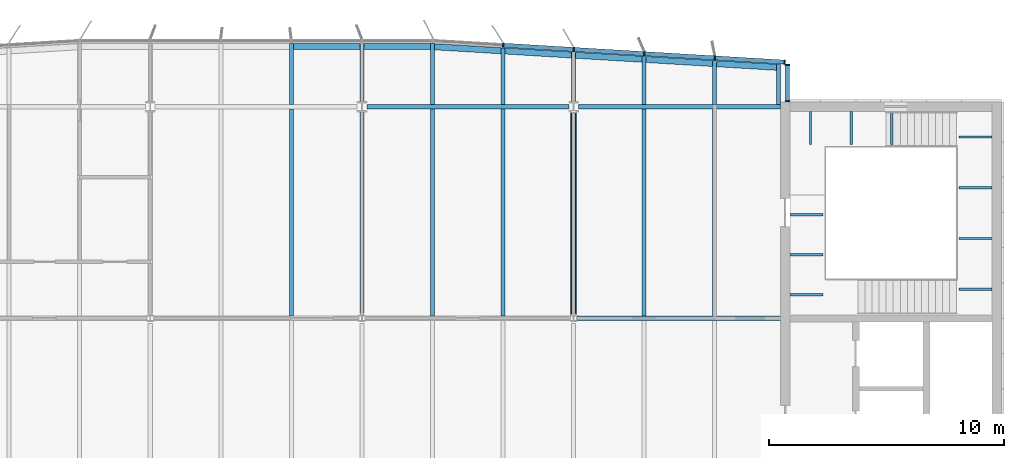
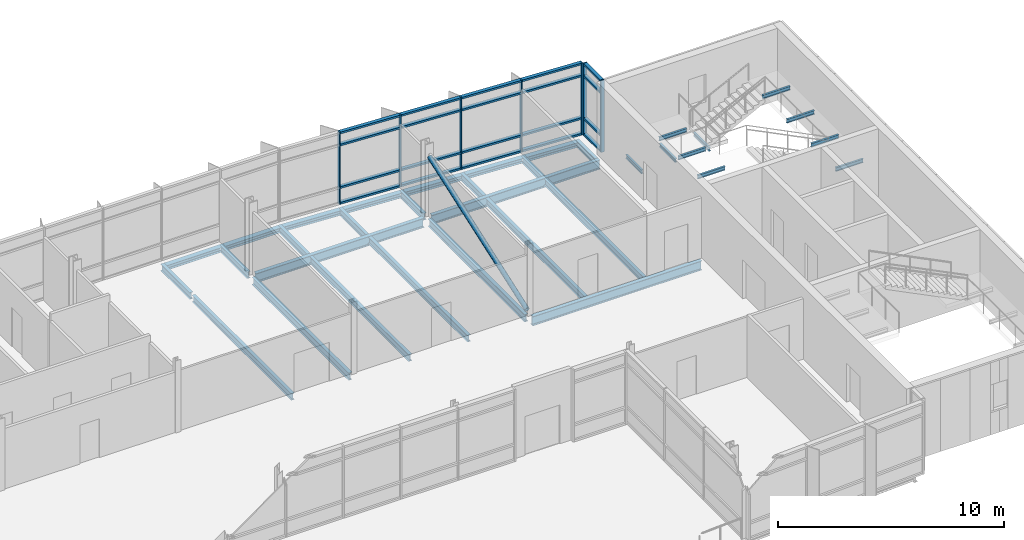
# One storey, part 8 of 19: 35 beams, 28 members, 2 elements without a shape of their own.
"""IFC4 building model written with IfcOpenShell, lengths in metres."""

from ifc_helpers import new_model, si_unit, direction, frame, origin, origin_2d, place, context, subcontext, project, spatial, rectangle, hollow_circle, i_section, extrude, material, material_profile, profile_set, type_object, element, aggregate, save


model = new_model("IFC4")

# Units and contexts
model_context = context("Model", 3, precision=1e-05, world=origin(), true_north=direction((0.0, 1.0)))
body_context = subcontext(model_context, "Body", "Model", "MODEL_VIEW")
ifc_project = project(units=[si_unit("LENGTHUNIT", "METRE"), si_unit("AREAUNIT", "SQUARE_METRE"), si_unit("VOLUMEUNIT", "CUBIC_METRE"), si_unit("PLANEANGLEUNIT", "RADIAN"), si_unit("MASSUNIT", "GRAM", prefix="KILO")], contexts=[model_context])

# Site, building, storey
site_placement = place(None, origin())
site = spatial("IfcSite", under=ifc_project, at=site_placement, CompositionType="ELEMENT")
building_placement = place(site_placement, origin())
building = spatial("IfcBuilding", under=site, at=building_placement, Name="Azimuth Sports and Learning Centre", CompositionType="ELEMENT")
storey_placement = place(building_placement, frame((0.0, 0.0, 67.5)))
storey = spatial("IfcBuildingStorey", under=building, at=storey_placement, Name="L15", CompositionType="ELEMENT", Elevation=67.5)

# Beams
ifc_material_1 = material(Name="Steel S355", Category="steel")
ifc_material_profile_1 = material_profile(ifc_material_1, i_section(OverallWidth=0.10009765625, OverallDepth=0.199951171875, WebThickness=0.005615234375, FlangeThickness=0.008544921875, FilletRadius=0.011962890625, at=origin_2d()), Name="IPE 200")
ifc_profile_set_1 = profile_set([ifc_material_profile_1], Name="Steel S355")
beam_type_1 = type_object("IfcBeamType", Name="Beam IPE 200", PredefinedType="BEAM", material=ifc_profile_set_1)
for number, where, z_axis, x_axis, name in (
    (1, (109.0732421875, 116.800048828125, -0.300048828125), (0.0, -1.0, 0.0), (1.0, 0.0, 0.0), "Landing bracket E2 L15 683"),
    (2, (110.800048828125, 116.800048828125, -0.300048828125), (0.0, -1.0, 0.0), (1.0, 0.0, 0.0), "Landing bracket E2 L15 684"),
    (3, (112.526611328125, 116.800048828125, -0.300048828125), (0.0, -1.0, 0.0), (1.0, 0.0, 0.0), "Landing bracket E2 L15 685"),
    (4, (116.800048828125, 109.23876953125, 1.35009765625), (-1.0, 0.0, 0.0), (0.0, -1.0, 0.0), "Landing bracket E2 L15 686"),
    (5, (116.800048828125, 111.396240234375, 1.35009765625), (-1.0, 0.0, 0.0), (0.0, -1.0, 0.0), "Landing bracket E2 L15 687"),
    (6, (116.800048828125, 113.5537109375, 1.35009765625), (-1.0, 0.0, 0.0), (0.0, -1.0, 0.0), "Landing bracket E2 L15 688"),
    (7, (116.800048828125, 115.711181640625, 1.35009765625), (-1.0, 0.0, 0.0), (0.0, -1.0, 0.0), "Landing bracket E2 L15 689"),
    (8, (108.199951171875, 109.00830078125, 3.60009765625), (1.0, 0.0, 0.0), (0.0, 1.0, 0.0), "Landing bracket E2 L15 690"),
    (9, (108.199951171875, 110.705078125, 3.60009765625), (1.0, 0.0, 0.0), (0.0, 1.0, 0.0), "Landing bracket E2 L15 691"),
    (10, (108.199951171875, 112.401611328125, 3.60009765625), (1.0, 0.0, 0.0), (0.0, 1.0, 0.0), "Landing bracket E2 L15 692"),
):
    element("IfcBeam", number, at=place(storey_placement, frame(where, z_axis=z_axis, x_axis=x_axis)), inside=storey, type_object=beam_type_1, Name=name, PredefinedType="BEAM", context=body_context, shape_type="SweptSolid", body=[
        extrude(i_section(OverallWidth=0.10009765625, OverallDepth=0.199951171875, WebThickness=0.005615234375, FlangeThickness=0.008544921875, FilletRadius=0.011962890625, at=origin_2d()), origin(), (0.0, 0.0, 1.0), 1.41015625),
    ])
ifc_material_2 = material(Name="Steel S355", Category="steel")
ifc_material_profile_2 = material_profile(ifc_material_2, i_section(OverallWidth=0.179931640625, OverallDepth=0.39990234375, WebThickness=0.008544921875, FlangeThickness=0.013427734375, FilletRadius=0.02099609375, at=origin_2d()), Name="IPE 400")
ifc_profile_set_2 = profile_set([ifc_material_profile_2], Name="Steel S355")
beam_type_2 = type_object("IfcBeamType", Name="Beam IPE 400", PredefinedType="BEAM", material=ifc_profile_set_2)
for number, where, z_axis, x_axis, name in (
    (11, (90.0, 108.216064453125, -0.330078125), (0.0, 1.0, 0.0), (-1.0, 0.0, 0.0), "Tower tie"),
    (12, (99.0, 108.216064453125, -0.330078125), (0.0, 1.0, 0.0), (-1.0, 0.0, 0.0), "Tower tie"),
):
    element("IfcBeam", number, at=place(storey_placement, frame(where, z_axis=z_axis, x_axis=x_axis)), inside=storey, type_object=beam_type_2, Name=name, PredefinedType="BEAM", context=body_context, shape_type="SweptSolid", body=[
        extrude(i_section(OverallWidth=0.179931640625, OverallDepth=0.39990234375, WebThickness=0.008544921875, FlangeThickness=0.013427734375, FilletRadius=0.02099609375, at=origin_2d()), origin(), (0.0, 0.0, 1.0), 8.56640625),
    ])
ifc_material_3 = material(Name="Steel S355", Category="steel")
ifc_material_profile_3 = material_profile(ifc_material_3, i_section(OverallWidth=0.199951171875, OverallDepth=0.5, WebThickness=0.01025390625, FlangeThickness=0.01611328125, FilletRadius=0.02099609375, at=origin_2d()), Name="IPE 500")
ifc_profile_set_3 = profile_set([ifc_material_profile_3], Name="Steel S355")
beam_type_3 = type_object("IfcBeamType", Name="Beam IPE 500", PredefinedType="BEAM", material=ifc_profile_set_3)
beam_1_placement = place(storey_placement, frame((99.153564453125, 108.0, -0.3798828125), z_axis=(1.0, 0.0, 0.0), x_axis=(0.0, 1.0, 0.0)))
element("IfcBeam", 13, at=beam_1_placement, inside=storey, type_object=beam_type_3, Name="Tower girder L15", PredefinedType="BEAM", context=body_context, shape_type="SweptSolid", body=[
    extrude(i_section(OverallWidth=0.199951171875, OverallDepth=0.5, WebThickness=0.01025390625, FlangeThickness=0.01611328125, FilletRadius=0.02099609375, at=origin_2d()), origin(), (0.0, 0.0, 1.0), 8.646484375),
])
beam_2_placement = place(storey_placement, frame((90.2060546875, 117.0, -0.3798828125), z_axis=(1.0, 0.0, 0.0), x_axis=(0.0, 1.0, 0.0)))
element("IfcBeam", 14, at=beam_2_placement, inside=storey, type_object=beam_type_3, Name="Tower girder L15", PredefinedType="BEAM", context=body_context, shape_type="SweptSolid", body=[
    extrude(i_section(OverallWidth=0.199951171875, OverallDepth=0.5, WebThickness=0.01025390625, FlangeThickness=0.01611328125, FilletRadius=0.02099609375, at=origin_2d()), origin(), (0.0, 0.0, 1.0), 8.587890625),
])
beam_3_placement = place(storey_placement, frame((99.2060546875, 117.0, -0.3798828125), z_axis=(1.0, 0.0, 0.0), x_axis=(0.0, 1.0, 0.0)))
element("IfcBeam", 15, at=beam_3_placement, inside=storey, type_object=beam_type_3, Name="Tower girder L15", PredefinedType="BEAM", context=body_context, shape_type="SweptSolid", body=[
    extrude(i_section(OverallWidth=0.199951171875, OverallDepth=0.5, WebThickness=0.01025390625, FlangeThickness=0.01611328125, FilletRadius=0.02099609375, at=origin_2d()), origin(), (0.0, 0.0, 1.0), 8.593994140625),
])

# Member
ifc_material_4 = material(Name="Steel S355", Category="steel")
ifc_material_profile_4 = material_profile(ifc_material_4, hollow_circle(Radius=0.122314453125, WallThickness=0.012451171875, at=origin_2d()), Name="CHS 244.5x12.5")
ifc_profile_set_4 = profile_set([ifc_material_profile_4], Name="Steel S355")
member_type_1 = type_object("IfcMemberType", Name="Brace CHS 244.5x12.5", PredefinedType="BRACE", material=ifc_profile_set_4)
member_1_placement = place(storey_placement, frame((99.0, 108.150634765625, 0.16943359375), z_axis=(0.0, 0.943274861537, 0.332012854558), x_axis=(-1.0, 0.0, 0.0)))
element("IfcMember", 16, at=member_1_placement, inside=storey, type_object=member_type_1, Name="Tower brace 12 L15", PredefinedType="BRACE", context=body_context, shape_type="SweptSolid", body=[
    extrude(hollow_circle(Radius=0.122314453125, WallThickness=0.012451171875, at=origin_2d()), origin(), (0.0, 0.0, 1.0), 9.129150390625),
])

# Beams
ifc_material_5 = material(Name="Steel S355", Category="steel")
ifc_material_profile_5 = material_profile(ifc_material_5, i_section(OverallWidth=0.169921875, OverallDepth=0.360107421875, WebThickness=0.008056640625, FlangeThickness=0.0126953125, FilletRadius=0.01806640625, at=origin_2d()), Name="IPE 360")
ifc_profile_set_5 = profile_set([ifc_material_profile_5], Name="Steel S355")
beam_type_4 = type_object("IfcBeamType", Name="Cantilever stub IPE 360", PredefinedType="JOIST", material=ifc_profile_set_5)
beam_4_placement = place(storey_placement, frame((87.0, 117.10009765625, -0.31005859375), z_axis=(0.0, 1.0, 0.0), x_axis=(-1.0, 0.0, 0.0)))
element("IfcBeam", 17, at=beam_4_placement, inside=storey, type_object=beam_type_4, Name="Tower cantilever stub", PredefinedType="JOIST", context=body_context, shape_type="SweptSolid", body=[
    extrude(i_section(OverallWidth=0.169921875, OverallDepth=0.360107421875, WebThickness=0.008056640625, FlangeThickness=0.0126953125, FilletRadius=0.01806640625, at=origin_2d()), origin(), (0.0, 0.0, 1.0), 2.579833984375),
])
beam_5_placement = place(storey_placement, frame((90.0, 117.217529296875, -0.31005859375), z_axis=(0.0, 1.0, 0.0), x_axis=(-1.0, 0.0, 0.0)))
element("IfcBeam", 18, at=beam_5_placement, inside=storey, type_object=beam_type_4, Name="Tower cantilever stub", PredefinedType="JOIST", context=body_context, shape_type="SweptSolid", body=[
    extrude(i_section(OverallWidth=0.169921875, OverallDepth=0.360107421875, WebThickness=0.008056640625, FlangeThickness=0.0126953125, FilletRadius=0.01806640625, at=origin_2d()), origin(), (0.0, 0.0, 1.0), 2.46240234375),
])
beam_6_placement = place(storey_placement, frame((93.0, 117.10009765625, -0.31005859375), z_axis=(0.0, 1.0, 0.0), x_axis=(-1.0, 0.0, 0.0)))
element("IfcBeam", 19, at=beam_6_placement, inside=storey, type_object=beam_type_4, Name="Tower cantilever stub", PredefinedType="JOIST", context=body_context, shape_type="SweptSolid", body=[
    extrude(i_section(OverallWidth=0.169921875, OverallDepth=0.360107421875, WebThickness=0.008056640625, FlangeThickness=0.0126953125, FilletRadius=0.01806640625, at=origin_2d()), origin(), (0.0, 0.0, 1.0), 2.579833984375),
])
beam_7_placement = place(storey_placement, frame((96.0, 117.10009765625, -0.31005859375), z_axis=(0.0, 1.0, 0.0), x_axis=(-1.0, 0.0, 0.0)))
element("IfcBeam", 20, at=beam_7_placement, inside=storey, type_object=beam_type_4, Name="Tower cantilever stub", PredefinedType="JOIST", context=body_context, shape_type="SweptSolid", body=[
    extrude(i_section(OverallWidth=0.169921875, OverallDepth=0.360107421875, WebThickness=0.008056640625, FlangeThickness=0.0126953125, FilletRadius=0.01806640625, at=origin_2d()), origin(), (0.0, 0.0, 1.0), 2.39990234375),
])
beam_8_placement = place(storey_placement, frame((99.0, 117.217529296875, -0.31005859375), z_axis=(0.0, 1.0, 0.0), x_axis=(-1.0, 0.0, 0.0)))
element("IfcBeam", 21, at=beam_8_placement, inside=storey, type_object=beam_type_4, Name="Tower cantilever stub", PredefinedType="JOIST", context=body_context, shape_type="SweptSolid", body=[
    extrude(i_section(OverallWidth=0.169921875, OverallDepth=0.360107421875, WebThickness=0.008056640625, FlangeThickness=0.0126953125, FilletRadius=0.01806640625, at=origin_2d()), origin(), (0.0, 0.0, 1.0), 2.1025390625),
])
beam_9_placement = place(storey_placement, frame((102.0, 117.10009765625, -0.31005859375), z_axis=(0.0, 1.0, 0.0), x_axis=(-1.0, 0.0, 0.0)))
element("IfcBeam", 22, at=beam_9_placement, inside=storey, type_object=beam_type_4, Name="Tower cantilever stub", PredefinedType="JOIST", context=body_context, shape_type="SweptSolid", body=[
    extrude(i_section(OverallWidth=0.169921875, OverallDepth=0.360107421875, WebThickness=0.008056640625, FlangeThickness=0.0126953125, FilletRadius=0.01806640625, at=origin_2d()), origin(), (0.0, 0.0, 1.0), 2.039794921875),
])
beam_10_placement = place(storey_placement, frame((105.0, 117.10009765625, -0.31005859375), z_axis=(0.0, 1.0, 0.0), x_axis=(-1.0, 0.0, 0.0)))
element("IfcBeam", 23, at=beam_10_placement, inside=storey, type_object=beam_type_4, Name="Tower cantilever stub", PredefinedType="JOIST", context=body_context, shape_type="SweptSolid", body=[
    extrude(i_section(OverallWidth=0.169921875, OverallDepth=0.360107421875, WebThickness=0.008056640625, FlangeThickness=0.0126953125, FilletRadius=0.01806640625, at=origin_2d()), origin(), (0.0, 0.0, 1.0), 1.85986328125),
])
beam_11_placement = place(storey_placement, frame((107.715087890625, 117.10009765625, -0.31005859375), z_axis=(0.0, 1.0, 0.0), x_axis=(-1.0, 0.0, 0.0)))
element("IfcBeam", 24, at=beam_11_placement, inside=storey, type_object=beam_type_4, Name="Tower cantilever stub", PredefinedType="JOIST", context=body_context, shape_type="SweptSolid", body=[
    extrude(i_section(OverallWidth=0.169921875, OverallDepth=0.360107421875, WebThickness=0.008056640625, FlangeThickness=0.0126953125, FilletRadius=0.01806640625, at=origin_2d()), origin(), (0.0, 0.0, 1.0), 1.697021484375),
])
ifc_material_6 = material(Name="Steel S355", Category="steel")
ifc_material_profile_6 = material_profile(ifc_material_6, i_section(OverallWidth=0.260009765625, OverallDepth=0.25, WebThickness=0.007568359375, FlangeThickness=0.012451171875, FilletRadius=0.02392578125, at=origin_2d()), Name="HEA 260")
ifc_profile_set_6 = profile_set([ifc_material_profile_6], Name="Steel S355")
beam_type_5 = type_object("IfcBeamType", Name="Edge beam HEA 260", PredefinedType="SPANDREL", material=ifc_profile_set_6)
for number, where, z_axis, x_axis, name in (
    (25, (87.0849609375, 119.550048828125, -0.2548828125), (1.0, 0.0, 0.0), (0.0, 1.0, 0.0), "Tower edge beam"),
    (26, (90.0849609375, 119.550048828125, -0.2548828125), (1.0, 0.0, 0.0), (0.0, 1.0, 0.0), "Tower edge beam"),
):
    element("IfcBeam", number, at=place(storey_placement, frame(where, z_axis=z_axis, x_axis=x_axis)), inside=storey, type_object=beam_type_5, Name=name, PredefinedType="SPANDREL", context=body_context, shape_type="SweptSolid", body=[
        extrude(i_section(OverallWidth=0.260009765625, OverallDepth=0.25, WebThickness=0.007568359375, FlangeThickness=0.012451171875, FilletRadius=0.02392578125, at=origin_2d()), origin(), (0.0, 0.0, 1.0), 2.830078125),
    ])
for number, where, z_axis, x_axis, name in (
    (27, (93.0849609375, 119.544921875, -0.2548828125), (0.998202373506, -0.059933475842, 0.0), (0.059933475842, 0.998202373506, 0.0), "Tower edge beam"),
    (28, (96.0849609375, 119.364990234375, -0.2548828125), (0.998202373506, -0.059933475842, 0.0), (0.059933475842, 0.998202373506, 0.0), "Tower edge beam"),
    (29, (99.0849609375, 119.184814453125, -0.2548828125), (0.998207521518, -0.059847673176, 0.0), (0.059847673176, 0.998207521518, 0.0), "Tower edge beam"),
    (30, (102.0849609375, 119.0048828125, -0.2548828125), (0.998207521518, -0.059847673176, 0.0), (0.059847673176, 0.998207521518, 0.0), "Tower edge beam"),
):
    element("IfcBeam", number, at=place(storey_placement, frame(where, z_axis=z_axis, x_axis=x_axis)), inside=storey, type_object=beam_type_5, Name=name, PredefinedType="SPANDREL", context=body_context, shape_type="SweptSolid", body=[
        extrude(i_section(OverallWidth=0.260009765625, OverallDepth=0.25, WebThickness=0.007568359375, FlangeThickness=0.012451171875, FilletRadius=0.02392578125, at=origin_2d()), origin(), (0.0, 0.0, 1.0), 2.835205078125),
    ])
beam_12_placement = place(storey_placement, frame((105.0849609375, 118.824951171875, -0.2548828125), z_axis=(0.998201638043, -0.05994572385, 0.0), x_axis=(0.05994572385, 0.998201638043, 0.0)))
element("IfcBeam", 31, at=beam_12_placement, inside=storey, type_object=beam_type_5, Name="Tower edge beam", PredefinedType="SPANDREL", context=body_context, shape_type="SweptSolid", body=[
    extrude(i_section(OverallWidth=0.260009765625, OverallDepth=0.25, WebThickness=0.007568359375, FlangeThickness=0.012451171875, FilletRadius=0.02392578125, at=origin_2d()), origin(), (0.0, 0.0, 1.0), 2.549560546875),
])
ifc_material_7 = material(Name="Steel S355", Category="steel")
ifc_material_profile_7 = material_profile(ifc_material_7, i_section(OverallWidth=0.169921875, OverallDepth=0.360107421875, WebThickness=0.008056640625, FlangeThickness=0.0126953125, FilletRadius=0.01806640625, at=origin_2d()), Name="IPE 360")
ifc_profile_set_7 = profile_set([ifc_material_profile_7], Name="Steel S355")
beam_type_6 = type_object("IfcBeamType", Name="Joist IPE 360", PredefinedType="JOIST", material=ifc_profile_set_7)
for number, where, z_axis, x_axis, name in (
    (32, (87.0, 108.10009765625, -0.31005859375), (0.0, 1.0, 0.0), (-1.0, 0.0, 0.0), "Tower joist"),
    (33, (93.0, 108.10009765625, -0.31005859375), (0.0, 1.0, 0.0), (-1.0, 0.0, 0.0), "Tower joist"),
    (34, (96.0, 108.10009765625, -0.31005859375), (0.0, 1.0, 0.0), (-1.0, 0.0, 0.0), "Tower joist"),
    (35, (102.0, 108.10009765625, -0.31005859375), (0.0, 1.0, 0.0), (-1.0, 0.0, 0.0), "Tower joist"),
    (36, (105.0, 108.10009765625, -0.31005859375), (0.0, 1.0, 0.0), (-1.0, 0.0, 0.0), "Tower joist"),
):
    element("IfcBeam", number, at=place(storey_placement, frame(where, z_axis=z_axis, x_axis=x_axis)), inside=storey, type_object=beam_type_6, Name=name, PredefinedType="JOIST", context=body_context, shape_type="SweptSolid", body=[
        extrude(i_section(OverallWidth=0.169921875, OverallDepth=0.360107421875, WebThickness=0.008056640625, FlangeThickness=0.0126953125, FilletRadius=0.01806640625, at=origin_2d()), origin(), (0.0, 0.0, 1.0), 8.7998046875),
    ])

# Curtain wall, members
ifc_material_8 = material(Name="Aluminium and glass", Category="aluminium")
curtain_wall_type_1 = type_object("IfcCurtainWallType", Name="Curtain wall tower return 180", PredefinedType="NOTDEFINED", material=ifc_material_8)
curtain_wall_1_placement = place(storey_placement, origin())
curtain_wall_1 = element("IfcCurtainWall", 37, at=curtain_wall_1_placement, inside=storey, type_object=curtain_wall_type_1, Name="Curtain wall CW15-010", PredefinedType="NOTDEFINED")
ifc_material_9 = material(Name="Aluminium", Category="aluminium")
ifc_material_profile_8 = material_profile(ifc_material_9, rectangle(XDim=0.179931640625, YDim=0.06005859375, at=origin_2d()), Name="Mullion 60x180")
ifc_profile_set_8 = profile_set([ifc_material_profile_8], Name="Aluminium")
member_type_2 = type_object("IfcMemberType", Name="Mullion 60x180", PredefinedType="MULLION", material=ifc_profile_set_8)
member_2_placement = place(storey_placement, frame((108.090087890625, 117.22998046875, 0.0), z_axis=(0.0, 0.0, 1.0), x_axis=(-1.0, 0.0, 0.0)))
member_2 = element("IfcMember", 38, at=member_2_placement, type_object=member_type_2, Name="CW15-010 mullion 1", PredefinedType="MULLION", context=body_context, shape_type="SweptSolid", body=[
    extrude(rectangle(XDim=0.179931640625, YDim=0.06005859375, at=origin_2d()), origin(), (0.0, 0.0, 1.0), 3.89990234375),
])
member_3_placement = place(storey_placement, frame((108.090087890625, 118.77001953125, 0.0), z_axis=(0.0, 0.0, 1.0), x_axis=(-1.0, 0.0, 0.0)))
member_3 = element("IfcMember", 39, at=member_3_placement, type_object=member_type_2, Name="CW15-010 mullion 2", PredefinedType="MULLION", context=body_context, shape_type="SweptSolid", body=[
    extrude(rectangle(XDim=0.179931640625, YDim=0.06005859375, at=origin_2d()), origin(), (0.0, 0.0, 1.0), 3.89990234375),
])

ifc_material_10 = material(Name="Aluminium and glass", Category="aluminium")
curtain_wall_type_2 = type_object("IfcCurtainWallType", Name="Curtain wall tower north 180", PredefinedType="NOTDEFINED", material=ifc_material_10)
curtain_wall_2_placement = place(storey_placement, origin())
curtain_wall_2 = element("IfcCurtainWall", 40, at=curtain_wall_2_placement, inside=storey, type_object=curtain_wall_type_2, Name="Curtain wall CW15-011", PredefinedType="NOTDEFINED")
member_4_placement = place(storey_placement, frame((107.975341796875, 118.8916015625, 0.0), z_axis=(0.0, 0.0, 1.0), x_axis=(-0.059891991812, -0.998204863401, 0.0)))
member_4 = element("IfcMember", 41, at=member_4_placement, type_object=member_type_2, Name="CW15-011 mullion 1", PredefinedType="MULLION", context=body_context, shape_type="SweptSolid", body=[
    extrude(rectangle(XDim=0.179931640625, YDim=0.06005859375, at=origin_2d()), origin(), (0.0, 0.0, 1.0), 3.89990234375),
])
member_5_placement = place(storey_placement, frame((105.00537109375, 119.06982421875, 0.0), z_axis=(0.0, 0.0, 1.0), x_axis=(-0.059891991812, -0.998204863401, 0.0)))
member_5 = element("IfcMember", 42, at=member_5_placement, type_object=member_type_2, Name="CW15-011 mullion 2", PredefinedType="MULLION", context=body_context, shape_type="SweptSolid", body=[
    extrude(rectangle(XDim=0.179931640625, YDim=0.06005859375, at=origin_2d()), origin(), (0.0, 0.0, 1.0), 3.89990234375),
])
member_6_placement = place(storey_placement, frame((102.00537109375, 119.249755859375, 0.0), z_axis=(0.0, 0.0, 1.0), x_axis=(-0.059891991812, -0.998204863401, 0.0)))
member_6 = element("IfcMember", 43, at=member_6_placement, type_object=member_type_2, Name="CW15-011 mullion 3", PredefinedType="MULLION", context=body_context, shape_type="SweptSolid", body=[
    extrude(rectangle(XDim=0.179931640625, YDim=0.06005859375, at=origin_2d()), origin(), (0.0, 0.0, 1.0), 3.89990234375),
])
member_7_placement = place(storey_placement, frame((99.00537109375, 119.429931640625, 0.0), z_axis=(0.0, 0.0, 1.0), x_axis=(-0.059891991812, -0.998204863401, 0.0)))
member_7 = element("IfcMember", 44, at=member_7_placement, type_object=member_type_2, Name="CW15-011 mullion 4", PredefinedType="MULLION", context=body_context, shape_type="SweptSolid", body=[
    extrude(rectangle(XDim=0.179931640625, YDim=0.06005859375, at=origin_2d()), origin(), (0.0, 0.0, 1.0), 3.89990234375),
])
member_8_placement = place(storey_placement, frame((96.00537109375, 119.60986328125, 0.0), z_axis=(0.0, 0.0, 1.0), x_axis=(-0.059891991812, -0.998204863401, 0.0)))
member_8 = element("IfcMember", 45, at=member_8_placement, type_object=member_type_2, Name="CW15-011 mullion 5", PredefinedType="MULLION", context=body_context, shape_type="SweptSolid", body=[
    extrude(rectangle(XDim=0.179931640625, YDim=0.06005859375, at=origin_2d()), origin(), (0.0, 0.0, 1.0), 3.89990234375),
])

# Member
ifc_material_11 = material(Name="Aluminium", Category="aluminium")
ifc_material_profile_9 = material_profile(ifc_material_11, rectangle(XDim=0.179931640625, YDim=0.10009765625, at=origin_2d()), Name="Transom 100x180")
ifc_profile_set_9 = profile_set([ifc_material_profile_9], Name="Aluminium")
member_type_3 = type_object("IfcMemberType", Name="Transom 100x180", PredefinedType="USERDEFINED", material=ifc_profile_set_9)
member_9_placement = place(storey_placement, frame((108.090087890625, 117.260009765625, 0.050048828125), z_axis=(0.0, 1.0, 0.0), x_axis=(-1.0, 0.0, 0.0)))
member_9 = element("IfcMember", 46, at=member_9_placement, type_object=member_type_3, Name="CW15-010 transom 1.1", ObjectType="TRANSOM", PredefinedType="USERDEFINED", context=body_context, shape_type="SweptSolid", body=[
    extrude(rectangle(XDim=0.179931640625, YDim=0.10009765625, at=origin_2d()), origin(), (0.0, 0.0, 1.0), 1.47998046875),
])

member_10_placement = place(storey_placement, frame((108.090087890625, 117.260009765625, 0.89990234375), z_axis=(0.0, 1.0, 0.0), x_axis=(-1.0, 0.0, 0.0)))
member_10 = element("IfcMember", 47, at=member_10_placement, type_object=member_type_3, Name="CW15-010 transom 1.2", ObjectType="TRANSOM", PredefinedType="USERDEFINED", context=body_context, shape_type="SweptSolid", body=[
    extrude(rectangle(XDim=0.179931640625, YDim=0.10009765625, at=origin_2d()), origin(), (0.0, 0.0, 1.0), 1.47998046875),
])

member_11_placement = place(storey_placement, frame((108.090087890625, 117.260009765625, 3.199951171875), z_axis=(0.0, 1.0, 0.0), x_axis=(-1.0, 0.0, 0.0)))
member_11 = element("IfcMember", 48, at=member_11_placement, type_object=member_type_3, Name="CW15-010 transom 1.3", ObjectType="TRANSOM", PredefinedType="USERDEFINED", context=body_context, shape_type="SweptSolid", body=[
    extrude(rectangle(XDim=0.179931640625, YDim=0.10009765625, at=origin_2d()), origin(), (0.0, 0.0, 1.0), 1.47998046875),
])

member_12_placement = place(storey_placement, frame((108.090087890625, 117.260009765625, 3.85009765625), z_axis=(0.0, 1.0, 0.0), x_axis=(-1.0, 0.0, 0.0)))
member_12 = element("IfcMember", 49, at=member_12_placement, type_object=member_type_3, Name="CW15-010 transom 1.4", ObjectType="TRANSOM", PredefinedType="USERDEFINED", context=body_context, shape_type="SweptSolid", body=[
    extrude(rectangle(XDim=0.179931640625, YDim=0.10009765625, at=origin_2d()), origin(), (0.0, 0.0, 1.0), 1.47998046875),
])

aggregate(curtain_wall_1, [member_2, member_3, member_9, member_10, member_11, member_12])

member_13_placement = place(storey_placement, frame((107.945556640625, 118.893310546875, 0.050048828125), z_axis=(-0.998200838052, 0.059959043628, 0.0), x_axis=(-0.059959043628, -0.998200838052, 0.0)))
member_13 = element("IfcMember", 50, at=member_13_placement, type_object=member_type_3, Name="CW15-011 transom 1.1", ObjectType="TRANSOM", PredefinedType="USERDEFINED", context=body_context, shape_type="SweptSolid", body=[
    extrude(rectangle(XDim=0.179931640625, YDim=0.10009765625, at=origin_2d()), origin(), (0.0, 0.0, 1.0), 2.915283203125),
])

member_14_placement = place(storey_placement, frame((107.945556640625, 118.893310546875, 0.89990234375), z_axis=(-0.998200838052, 0.059959043628, 0.0), x_axis=(-0.059959043628, -0.998200838052, 0.0)))
member_14 = element("IfcMember", 51, at=member_14_placement, type_object=member_type_3, Name="CW15-011 transom 1.2", ObjectType="TRANSOM", PredefinedType="USERDEFINED", context=body_context, shape_type="SweptSolid", body=[
    extrude(rectangle(XDim=0.179931640625, YDim=0.10009765625, at=origin_2d()), origin(), (0.0, 0.0, 1.0), 2.915283203125),
])

member_15_placement = place(storey_placement, frame((107.945556640625, 118.893310546875, 3.199951171875), z_axis=(-0.998200838052, 0.059959043628, 0.0), x_axis=(-0.059959043628, -0.998200838052, 0.0)))
member_15 = element("IfcMember", 52, at=member_15_placement, type_object=member_type_3, Name="CW15-011 transom 1.3", ObjectType="TRANSOM", PredefinedType="USERDEFINED", context=body_context, shape_type="SweptSolid", body=[
    extrude(rectangle(XDim=0.179931640625, YDim=0.10009765625, at=origin_2d()), origin(), (0.0, 0.0, 1.0), 2.915283203125),
])

member_16_placement = place(storey_placement, frame((107.945556640625, 118.893310546875, 3.85009765625), z_axis=(-0.998200838052, 0.059959043628, 0.0), x_axis=(-0.059959043628, -0.998200838052, 0.0)))
member_16 = element("IfcMember", 53, at=member_16_placement, type_object=member_type_3, Name="CW15-011 transom 1.4", ObjectType="TRANSOM", PredefinedType="USERDEFINED", context=body_context, shape_type="SweptSolid", body=[
    extrude(rectangle(XDim=0.179931640625, YDim=0.10009765625, at=origin_2d()), origin(), (0.0, 0.0, 1.0), 2.915283203125),
])

member_17_placement = place(storey_placement, frame((104.975341796875, 119.071533203125, 0.050048828125), z_axis=(-0.998202465912, 0.059931936792, 0.0), x_axis=(-0.059931936792, -0.998202465912, 0.0)))
member_17 = element("IfcMember", 54, at=member_17_placement, type_object=member_type_3, Name="CW15-011 transom 2.1", ObjectType="TRANSOM", PredefinedType="USERDEFINED", context=body_context, shape_type="SweptSolid", body=[
    extrude(rectangle(XDim=0.179931640625, YDim=0.10009765625, at=origin_2d()), origin(), (0.0, 0.0, 1.0), 2.9453125),
])

member_18_placement = place(storey_placement, frame((104.975341796875, 119.071533203125, 0.89990234375), z_axis=(-0.998202465912, 0.059931936792, 0.0), x_axis=(-0.059931936792, -0.998202465912, 0.0)))
member_18 = element("IfcMember", 55, at=member_18_placement, type_object=member_type_3, Name="CW15-011 transom 2.2", ObjectType="TRANSOM", PredefinedType="USERDEFINED", context=body_context, shape_type="SweptSolid", body=[
    extrude(rectangle(XDim=0.179931640625, YDim=0.10009765625, at=origin_2d()), origin(), (0.0, 0.0, 1.0), 2.9453125),
])

member_19_placement = place(storey_placement, frame((104.975341796875, 119.071533203125, 3.199951171875), z_axis=(-0.998202465912, 0.059931936792, 0.0), x_axis=(-0.059931936792, -0.998202465912, 0.0)))
member_19 = element("IfcMember", 56, at=member_19_placement, type_object=member_type_3, Name="CW15-011 transom 2.3", ObjectType="TRANSOM", PredefinedType="USERDEFINED", context=body_context, shape_type="SweptSolid", body=[
    extrude(rectangle(XDim=0.179931640625, YDim=0.10009765625, at=origin_2d()), origin(), (0.0, 0.0, 1.0), 2.9453125),
])

member_20_placement = place(storey_placement, frame((104.975341796875, 119.071533203125, 3.85009765625), z_axis=(-0.998202465912, 0.059931936792, 0.0), x_axis=(-0.059931936792, -0.998202465912, 0.0)))
member_20 = element("IfcMember", 57, at=member_20_placement, type_object=member_type_3, Name="CW15-011 transom 2.4", ObjectType="TRANSOM", PredefinedType="USERDEFINED", context=body_context, shape_type="SweptSolid", body=[
    extrude(rectangle(XDim=0.179931640625, YDim=0.10009765625, at=origin_2d()), origin(), (0.0, 0.0, 1.0), 2.9453125),
])

member_21_placement = place(storey_placement, frame((101.975341796875, 119.251708984375, 0.050048828125), z_axis=(-0.998207421552, 0.059849340505, 0.0), x_axis=(-0.059849340505, -0.998207421552, 0.0)))
member_21 = element("IfcMember", 58, at=member_21_placement, type_object=member_type_3, Name="CW15-011 transom 3.1", ObjectType="TRANSOM", PredefinedType="USERDEFINED", context=body_context, shape_type="SweptSolid", body=[
    extrude(rectangle(XDim=0.179931640625, YDim=0.10009765625, at=origin_2d()), origin(), (0.0, 0.0, 1.0), 2.9453125),
])

member_22_placement = place(storey_placement, frame((101.975341796875, 119.251708984375, 0.89990234375), z_axis=(-0.998207421552, 0.059849340505, 0.0), x_axis=(-0.059849340505, -0.998207421552, 0.0)))
member_22 = element("IfcMember", 59, at=member_22_placement, type_object=member_type_3, Name="CW15-011 transom 3.2", ObjectType="TRANSOM", PredefinedType="USERDEFINED", context=body_context, shape_type="SweptSolid", body=[
    extrude(rectangle(XDim=0.179931640625, YDim=0.10009765625, at=origin_2d()), origin(), (0.0, 0.0, 1.0), 2.9453125),
])

member_23_placement = place(storey_placement, frame((101.975341796875, 119.251708984375, 3.199951171875), z_axis=(-0.998207421552, 0.059849340505, 0.0), x_axis=(-0.059849340505, -0.998207421552, 0.0)))
member_23 = element("IfcMember", 60, at=member_23_placement, type_object=member_type_3, Name="CW15-011 transom 3.3", ObjectType="TRANSOM", PredefinedType="USERDEFINED", context=body_context, shape_type="SweptSolid", body=[
    extrude(rectangle(XDim=0.179931640625, YDim=0.10009765625, at=origin_2d()), origin(), (0.0, 0.0, 1.0), 2.9453125),
])

member_24_placement = place(storey_placement, frame((101.975341796875, 119.251708984375, 3.85009765625), z_axis=(-0.998207421552, 0.059849340505, 0.0), x_axis=(-0.059849340505, -0.998207421552, 0.0)))
member_24 = element("IfcMember", 61, at=member_24_placement, type_object=member_type_3, Name="CW15-011 transom 3.4", ObjectType="TRANSOM", PredefinedType="USERDEFINED", context=body_context, shape_type="SweptSolid", body=[
    extrude(rectangle(XDim=0.179931640625, YDim=0.10009765625, at=origin_2d()), origin(), (0.0, 0.0, 1.0), 2.9453125),
])

member_25_placement = place(storey_placement, frame((98.975341796875, 119.431640625, 0.050048828125), z_axis=(-0.998202465912, 0.059931936792, 0.0), x_axis=(-0.059931936792, -0.998202465912, 0.0)))
member_25 = element("IfcMember", 62, at=member_25_placement, type_object=member_type_3, Name="CW15-011 transom 4.1", ObjectType="TRANSOM", PredefinedType="USERDEFINED", context=body_context, shape_type="SweptSolid", body=[
    extrude(rectangle(XDim=0.179931640625, YDim=0.10009765625, at=origin_2d()), origin(), (0.0, 0.0, 1.0), 2.9453125),
])

member_26_placement = place(storey_placement, frame((98.975341796875, 119.431640625, 0.89990234375), z_axis=(-0.998202465912, 0.059931936792, 0.0), x_axis=(-0.059931936792, -0.998202465912, 0.0)))
member_26 = element("IfcMember", 63, at=member_26_placement, type_object=member_type_3, Name="CW15-011 transom 4.2", ObjectType="TRANSOM", PredefinedType="USERDEFINED", context=body_context, shape_type="SweptSolid", body=[
    extrude(rectangle(XDim=0.179931640625, YDim=0.10009765625, at=origin_2d()), origin(), (0.0, 0.0, 1.0), 2.9453125),
])

member_27_placement = place(storey_placement, frame((98.975341796875, 119.431640625, 3.199951171875), z_axis=(-0.998202465912, 0.059931936792, 0.0), x_axis=(-0.059931936792, -0.998202465912, 0.0)))
member_27 = element("IfcMember", 64, at=member_27_placement, type_object=member_type_3, Name="CW15-011 transom 4.3", ObjectType="TRANSOM", PredefinedType="USERDEFINED", context=body_context, shape_type="SweptSolid", body=[
    extrude(rectangle(XDim=0.179931640625, YDim=0.10009765625, at=origin_2d()), origin(), (0.0, 0.0, 1.0), 2.9453125),
])

member_28_placement = place(storey_placement, frame((98.975341796875, 119.431640625, 3.85009765625), z_axis=(-0.998202465912, 0.059931936792, 0.0), x_axis=(-0.059931936792, -0.998202465912, 0.0)))
member_28 = element("IfcMember", 65, at=member_28_placement, type_object=member_type_3, Name="CW15-011 transom 4.4", ObjectType="TRANSOM", PredefinedType="USERDEFINED", context=body_context, shape_type="SweptSolid", body=[
    extrude(rectangle(XDim=0.179931640625, YDim=0.10009765625, at=origin_2d()), origin(), (0.0, 0.0, 1.0), 2.9453125),
])

aggregate(curtain_wall_2, [member_4, member_5, member_6, member_7, member_8, member_13, member_14, member_15, member_16, member_17, member_18, member_19, member_20, member_21, member_22, member_23, member_24, member_25, member_26, member_27, member_28])

save(model, "model.ifc")
